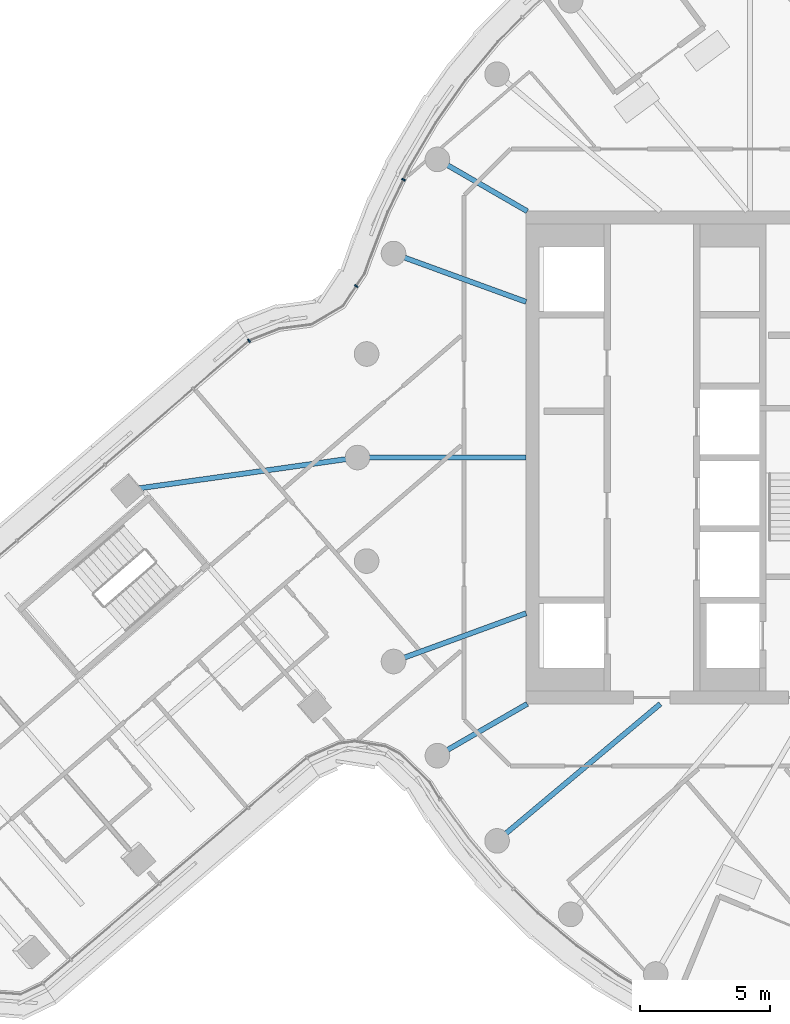
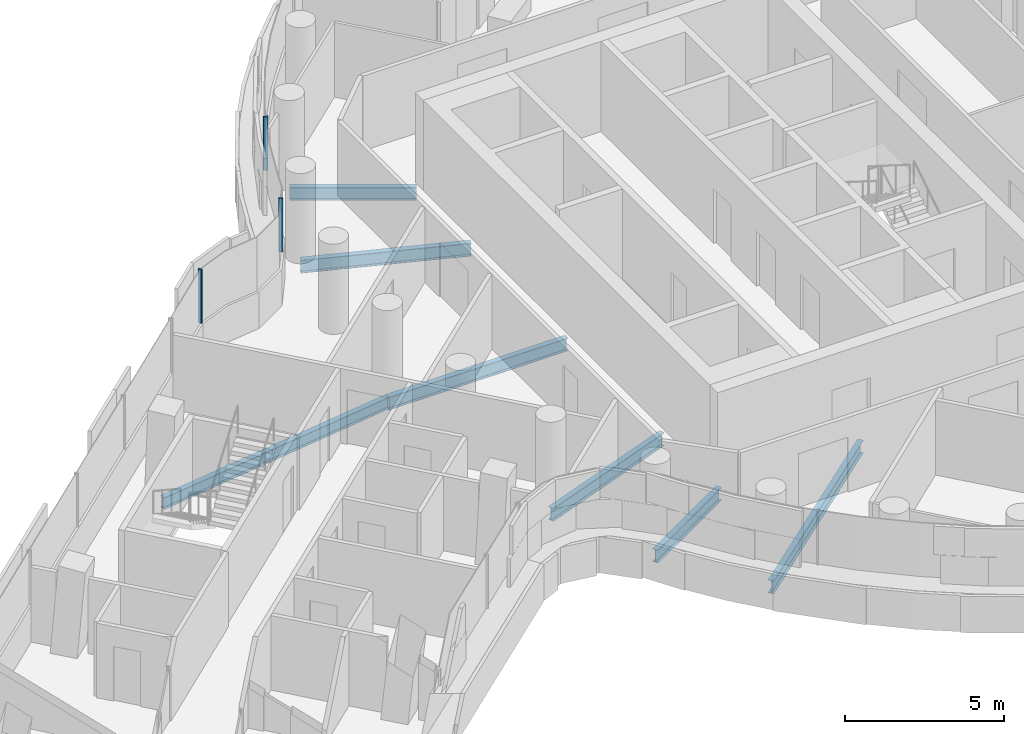
# One storey, part 9 of 34: 7 beams, 3 members, 2 elements without a shape of their own.
"""IFC4 building model written with IfcOpenShell, lengths in metres."""

import ifcopenshell
import ifcopenshell.guid

model = None  # the IFC model being written
_history = None  # IfcOwnerHistory: only IFC2X3 demands one
_inside = {}  # id of a spatial element -> (the spatial element, [elements in it])
_under = {}  # id of a project, library or spatial element -> (it, [spatial elements below it])
_declared = {}  # id of a project -> (the project, [libraries it declares])
_typed = {}  # id of a type object -> (the type object, [elements of that type])
_made_of = {}  # id of a material, layer set ... -> (it, [elements and type objects made of it])


def new_model(schema):
    """Start an empty IFC model of exactly this schema.

    Asked for "IFC4X3", IfcOpenShell would pick the latest addendum, in which some entities
    have other attributes; the version numbers below select the first issue.
    IFC2X3 requires an IfcOwnerHistory on every rooted entity: one is made here for all.
    """
    global model, _history
    if schema == "IFC4X3":
        model = ifcopenshell.file(schema_version=(4, 3, 0, 0))
    else:
        model = ifcopenshell.file(schema=schema)
    _inside.clear()
    _under.clear()
    _declared.clear()
    _typed.clear()
    _made_of.clear()
    _history = None
    if model.schema == "IFC2X3":
        org = make("IfcOrganization", Name="unknown")
        user = make(
            "IfcPersonAndOrganization",
            ThePerson=make("IfcPerson", FamilyName="unknown"),
            TheOrganization=org,
        )
        app = make(
            "IfcApplication",
            ApplicationDeveloper=org,
            Version="unknown",
            ApplicationFullName="unknown",
            ApplicationIdentifier="unknown",
        )
        _history = make(
            "IfcOwnerHistory",
            OwningUser=user,
            OwningApplication=app,
            ChangeAction="ADDED",
            CreationDate=0,
        )
    return model


def make(cls, **values):
    """One entity of the class cls with the attributes given. An attribute that is None is left unset."""
    return model.create_entity(
        cls, **{name: value for name, value in values.items() if value is not None}
    )


def rooted(cls, **values):
    """An entity with a GlobalId (a new one), such as an element, a storey or a relation."""
    return make(cls, GlobalId=ifcopenshell.guid.new(), OwnerHistory=_history, **values)


def si_unit(unit_type, name, prefix=None):
    """IfcSIUnit, for example si_unit("LENGTHUNIT", "METRE", prefix="MILLI")."""
    return make("IfcSIUnit", UnitType=unit_type, Prefix=prefix, Name=name)


def assignment(units):
    """IfcUnitAssignment: the units of a project."""
    return None if units is None else make("IfcUnitAssignment", Units=units)


def point(xyz):
    """IfcCartesianPoint."""
    return None if xyz is None else make("IfcCartesianPoint", Coordinates=xyz)


def direction(xyz):
    """IfcDirection."""
    return None if xyz is None else make("IfcDirection", DirectionRatios=xyz)


def frame(location, z_axis=None, x_axis=None):
    """IfcAxis2Placement3D, a coordinate frame: its origin and axes. An axis left out is left unset."""
    return make(
        "IfcAxis2Placement3D",
        Location=point(location),
        Axis=direction(z_axis),
        RefDirection=direction(x_axis),
    )


def frame_2d(location, x_axis=None):
    """IfcAxis2Placement2D, a coordinate frame in the plane: its origin and x axis."""
    return make(
        "IfcAxis2Placement2D", Location=point(location), RefDirection=direction(x_axis)
    )


def origin():
    """The frame at (0, 0, 0) with its axes left unset."""
    return frame((0.0, 0.0, 0.0))


def origin_2d():
    """The frame at (0, 0) in the plane with its x axis left unset."""
    return frame_2d((0.0, 0.0))


def place(relative_to, where):
    """IfcLocalPlacement: puts the frame where relative to a parent placement (None: the world)."""
    return make(
        "IfcLocalPlacement", PlacementRelTo=relative_to, RelativePlacement=where
    )


def context(
    kind, dimensions, precision=None, world=None, true_north=None, identifier=None
):
    """IfcGeometricRepresentationContext, for example the 3D "Model" context."""
    return make(
        "IfcGeometricRepresentationContext",
        ContextIdentifier=identifier,
        ContextType=kind,
        CoordinateSpaceDimension=dimensions,
        Precision=precision,
        WorldCoordinateSystem=world,
        TrueNorth=true_north,
    )


def subcontext(parent, identifier, kind, view, scale=None):
    """IfcGeometricRepresentationSubContext, for example "Body" below "Model"."""
    return make(
        "IfcGeometricRepresentationSubContext",
        ContextIdentifier=identifier,
        ContextType=kind,
        ParentContext=parent,
        TargetScale=scale,
        TargetView=view,
    )


def project(units=None, contexts=None):
    """IfcProject with its units and contexts."""
    return rooted(
        "IfcProject",
        Name="project",
        RepresentationContexts=contexts,
        UnitsInContext=assignment(units),
    )


def spatial(cls, under=None, at=None, **own):
    """A site, building, storey or space (cls), placed at a placement, below another one or the project."""
    s = rooted(cls, ObjectPlacement=at, **own)
    if under is not None:
        _under.setdefault(under.id(), (under, []))[1].append(s)
    return s


def profile(cls, at=None, kind="AREA", **sizes):
    """A parametric profile (cls). Its sizes go by their IFC names, for example OverallWidth=200.0."""
    return make(cls, ProfileType=kind, Position=at, **sizes)


def rectangle(**sizes):
    """IfcRectangleProfileDef."""
    return profile("IfcRectangleProfileDef", **sizes)


def i_section(**sizes):
    """IfcIShapeProfileDef."""
    return profile("IfcIShapeProfileDef", **sizes)


def extrude(swept, where, along, depth):
    """IfcExtrudedAreaSolid: the profile swept, set in the frame where, extruded along a direction by depth."""
    return make(
        "IfcExtrudedAreaSolid",
        SweptArea=swept,
        Position=where,
        ExtrudedDirection=direction(along),
        Depth=depth,
    )


def shape(context_of_items, identifier, shape_type, items):
    """IfcShapeRepresentation: the items that make up one representation, for example the "Body"."""
    return make(
        "IfcShapeRepresentation",
        ContextOfItems=context_of_items,
        RepresentationIdentifier=identifier,
        RepresentationType=shape_type,
        Items=items,
    )


def material(Name=None, Category=None):
    """IfcMaterial."""
    return make("IfcMaterial", Name=Name, Category=Category)


def layer(
    of_material, thickness, ventilated=None, Name=None, Category=None, Priority=None
):
    """IfcMaterialLayer: one layer of a wall or slab, of a material (None: an air gap)."""
    return make(
        "IfcMaterialLayer",
        Material=of_material,
        LayerThickness=thickness,
        IsVentilated=ventilated,
        Name=Name,
        Category=Category,
        Priority=Priority,
    )


def layer_set(layers, Name=None):
    """IfcMaterialLayerSet."""
    return make("IfcMaterialLayerSet", MaterialLayers=layers, LayerSetName=Name)


def material_profile(
    of_material, cross_section, Name=None, Category=None, Priority=None
):
    """IfcMaterialProfile: a cross section and its material."""
    return make(
        "IfcMaterialProfile",
        Name=Name,
        Material=of_material,
        Profile=cross_section,
        Priority=Priority,
        Category=Category,
    )


def profile_set(profiles, Name=None, composite=None):
    """IfcMaterialProfileSet."""
    return make(
        "IfcMaterialProfileSet",
        Name=Name,
        MaterialProfiles=profiles,
        CompositeProfile=composite,
    )


def made_of(thing, what):
    """Note that an element or type object is made of a material, layer set ...; save() writes the relation."""
    if what is not None:
        _made_of.setdefault(what.id(), (what, []))[1].append(thing)
    return thing


def type_object(cls, material=None, **own):
    """A type object (cls), such as IfcWallType, which elements share."""
    return made_of(rooted(cls, **own), material)


def element(
    cls,
    number,
    at=None,
    inside=None,
    cuts=None,
    type_object=None,
    material=None,
    context=None,
    identifier="Body",
    shape_type=None,
    held_by="IfcProductDefinitionShape",
    body=None,
    shapes=None,
    **own,
):
    """One element of the class cls, such as IfcWall. Its Tag is "e" and its number.

    at: its placement. inside: the storey or other place that contains it. cuts: it is an
    opening in that element (IfcRelVoidsElement). A single representation is given by context,
    identifier, shape_type and body (its items); several are given by shapes. held_by: the class
    of the entity that holds the representations. save() writes the other relations.
    """
    e = rooted(cls, Tag="e%d" % number, ObjectPlacement=at, **own)
    if body is not None:
        shapes = [shape(context, identifier, shape_type, body)]
    if shapes is not None:
        e.Representation = make(held_by, Representations=shapes)
    if inside is not None:
        _inside.setdefault(inside.id(), (inside, []))[1].append(e)
    if cuts is not None:
        rooted(
            "IfcRelVoidsElement", RelatingBuildingElement=cuts, RelatedOpeningElement=e
        )
    if type_object is not None:
        _typed.setdefault(type_object.id(), (type_object, []))[1].append(e)
    return made_of(e, material)


def aggregate(whole, parts):
    """IfcRelAggregates: a whole, such as a stair, and the parts it consists of."""
    return rooted("IfcRelAggregates", RelatingObject=whole, RelatedObjects=parts)


def save(model, path):
    """Write the relations noted so far, then the file.

    IfcRelAggregates (storeys below a building ...), IfcRelContainedInSpatialStructure (elements
    in a storey), IfcRelDefinesByType, IfcRelAssociatesMaterial and IfcRelDeclares: one each for
    every whole, place, type object, material and project.
    """
    for whole, parts in _under.values():
        aggregate(whole, parts)
    for where, things in _inside.values():
        rooted(
            "IfcRelContainedInSpatialStructure",
            RelatedElements=things,
            RelatingStructure=where,
        )
    for kind, things in _typed.values():
        rooted("IfcRelDefinesByType", RelatedObjects=things, RelatingType=kind)
    for what, things in _made_of.values():
        rooted("IfcRelAssociatesMaterial", RelatedObjects=things, RelatingMaterial=what)
    for by, libraries in _declared.values():
        rooted("IfcRelDeclares", RelatingContext=by, RelatedDefinitions=libraries)
    model.write(path)


model = new_model("IFC4")

# Units and contexts
model_context = context("Model", 3, precision=1e-05, world=origin(), true_north=direction((0.0, 1.0)))
body_context = subcontext(model_context, "Body", "Model", "MODEL_VIEW")
ifc_project = project(units=[si_unit("LENGTHUNIT", "METRE"), si_unit("AREAUNIT", "SQUARE_METRE"), si_unit("VOLUMEUNIT", "CUBIC_METRE"), si_unit("PLANEANGLEUNIT", "RADIAN"), si_unit("MASSUNIT", "GRAM", prefix="KILO")], contexts=[model_context])

# Site, building, storey
site_placement = place(None, origin())
site = spatial("IfcSite", under=ifc_project, at=site_placement, CompositionType="ELEMENT")
building_placement = place(site_placement, origin())
building = spatial("IfcBuilding", under=site, at=building_placement, Name="Tamarind Cross Interchange Tower", CompositionType="ELEMENT")
storey_placement = place(building_placement, frame((0.0, 0.0, 182.5)))
storey = spatial("IfcBuildingStorey", under=building, at=storey_placement, Name="L45", CompositionType="ELEMENT", Elevation=182.5)

# Beams
ifc_material_1 = material(Name="Steel Q355B", Category="steel")
ifc_material_profile_1 = material_profile(ifc_material_1, i_section(OverallWidth=0.198974609375, OverallDepth=0.446044921875, WebThickness=0.008056640625, FlangeThickness=0.011962890625, FilletRadius=0.012939453125, at=origin_2d()), Name="HN 446x199x8x12")
ifc_profile_set_1 = profile_set([ifc_material_profile_1], Name="Steel Q355B")
beam_type_1 = type_object("IfcBeamType", Name="Composite beam HN 446x199x8x12 Q355B", PredefinedType="BEAM", material=ifc_profile_set_1)
beam_1_placement = place(storey_placement, frame((-31.8779296875, -1.250732421875, -0.363037109375), z_axis=(0.990221578469, 0.139503496494, 0.0), x_axis=(-0.139503496494, 0.990221578469, 0.0)))
element("IfcBeam", 1, at=beam_1_placement, inside=storey, type_object=beam_type_1, Name="Beam W-linkem", PredefinedType="BEAM", context=body_context, shape_type="SweptSolid", body=[
    extrude(i_section(OverallWidth=0.198974609375, OverallDepth=0.446044921875, WebThickness=0.008056640625, FlangeThickness=0.011962890625, FilletRadius=0.012939453125, at=origin_2d()), origin(), (0.0, 0.0, 1.0), 8.965576171875),
])
ifc_material_profile_2 = material_profile(ifc_material_1, i_section(OverallWidth=0.198974609375, OverallDepth=0.49609375, WebThickness=0.009033203125, FlangeThickness=0.013916015625, FilletRadius=0.012939453125, at=origin_2d()), Name="HN 496x199x9x14")
ifc_profile_set_2 = profile_set([ifc_material_profile_2], Name="Steel Q355B")
beam_type_2 = type_object("IfcBeamType", Name="Composite beam HN 496x199x9x14 Q355B", PredefinedType="BEAM", material=ifc_profile_set_2)
beam_2_placement = place(storey_placement, frame((-19.918701171875, 11.5, -0.387939453125), z_axis=(0.866026010844, -0.49999894854, 0.0), x_axis=(0.49999894854, 0.866026010844, 0.0)))
element("IfcBeam", 2, at=beam_2_placement, inside=storey, type_object=beam_type_2, Name="Beam HH15", PredefinedType="BEAM", context=body_context, shape_type="SweptSolid", body=[
    extrude(i_section(OverallWidth=0.198974609375, OverallDepth=0.49609375, WebThickness=0.009033203125, FlangeThickness=0.013916015625, FilletRadius=0.012939453125, at=origin_2d()), origin(), (0.0, 0.0, 1.0), 4.0),
])
beam_3_placement = place(storey_placement, frame((-21.613037109375, 7.866455078125, -0.387939453125), z_axis=(0.939701685589, -0.341995236956, 0.0), x_axis=(0.341995236956, 0.939701685589, 0.0)))
element("IfcBeam", 3, at=beam_3_placement, inside=storey, type_object=beam_type_2, Name="Beam HH16", PredefinedType="BEAM", context=body_context, shape_type="SweptSolid", body=[
    extrude(i_section(OverallWidth=0.198974609375, OverallDepth=0.49609375, WebThickness=0.009033203125, FlangeThickness=0.013916015625, FilletRadius=0.012939453125, at=origin_2d()), origin(), (0.0, 0.0, 1.0), 5.441162109375),
])
beam_4_placement = place(storey_placement, frame((-23.0, 0.0, -0.387939453125), z_axis=(1.0, 0.0, 0.0), x_axis=(0.0, 1.0, 0.0)))
element("IfcBeam", 4, at=beam_4_placement, inside=storey, type_object=beam_type_2, Name="Beam HH18", PredefinedType="BEAM", context=body_context, shape_type="SweptSolid", body=[
    extrude(i_section(OverallWidth=0.198974609375, OverallDepth=0.49609375, WebThickness=0.009033203125, FlangeThickness=0.013916015625, FilletRadius=0.012939453125, at=origin_2d()), origin(), (0.0, 0.0, 1.0), 6.5),
])
beam_5_placement = place(storey_placement, frame((-21.613037109375, -7.866455078125, -0.387939453125), z_axis=(0.939701685589, 0.341995236956, 0.0), x_axis=(-0.341995236956, 0.939701685589, 0.0)))
element("IfcBeam", 5, at=beam_5_placement, inside=storey, type_object=beam_type_2, Name="Beam HH20", PredefinedType="BEAM", context=body_context, shape_type="SweptSolid", body=[
    extrude(i_section(OverallWidth=0.198974609375, OverallDepth=0.49609375, WebThickness=0.009033203125, FlangeThickness=0.013916015625, FilletRadius=0.012939453125, at=origin_2d()), origin(), (0.0, 0.0, 1.0), 5.441162109375),
])
beam_6_placement = place(storey_placement, frame((-19.918701171875, -11.5, -0.387939453125), z_axis=(0.866026010844, 0.49999894854, 0.0), x_axis=(-0.49999894854, 0.866026010844, 0.0)))
element("IfcBeam", 6, at=beam_6_placement, inside=storey, type_object=beam_type_2, Name="Beam HH21", PredefinedType="BEAM", context=body_context, shape_type="SweptSolid", body=[
    extrude(i_section(OverallWidth=0.198974609375, OverallDepth=0.49609375, WebThickness=0.009033203125, FlangeThickness=0.013916015625, FilletRadius=0.012939453125, at=origin_2d()), origin(), (0.0, 0.0, 1.0), 4.0),
])
beam_7_placement = place(storey_placement, frame((-17.619140625, -14.7841796875, -0.387939453125), z_axis=(0.766040580814, 0.642792212574, 0.0), x_axis=(-0.642792212574, 0.766040580814, 0.0)))
element("IfcBeam", 7, at=beam_7_placement, inside=storey, type_object=beam_type_2, Name="Beam HH22", PredefinedType="BEAM", context=body_context, shape_type="SweptSolid", body=[
    extrude(i_section(OverallWidth=0.198974609375, OverallDepth=0.49609375, WebThickness=0.009033203125, FlangeThickness=0.013916015625, FilletRadius=0.012939453125, at=origin_2d()), origin(), (0.0, 0.0, 1.0), 8.220703125),
])

# Curtain wall, member
ifc_material_2 = material(Name="Aluminium 6063-T6", Category="aluminium")
ifc_layer_1 = layer(ifc_material_2, 0.139892578125)
ifc_layer_set_1 = layer_set([ifc_layer_1], Name="Aluminium 6063-T6")
curtain_wall_type_1 = type_object("IfcCurtainWallType", Name="Hotel curtain wall, 4.5 m bays", PredefinedType="NOTDEFINED", material=ifc_layer_set_1)
curtain_wall_1_placement = place(storey_placement, origin())
curtain_wall_1 = element("IfcCurtainWall", 8, at=curtain_wall_1_placement, inside=storey, type_object=curtain_wall_type_1, Name="CWS-L45-03", PredefinedType="NOTDEFINED")
ifc_material_profile_3 = material_profile(ifc_material_2, rectangle(XDim=0.06005859375, YDim=0.139892578125, at=origin_2d()), Name="Mullion CW2")
ifc_profile_set_3 = profile_set([ifc_material_profile_3], Name="Aluminium 6063-T6")
member_type_1 = type_object("IfcMemberType", Name="Mullion CW2", PredefinedType="MULLION", material=ifc_profile_set_3)
member_1_placement = place(storey_placement, frame((-27.1884765625, 4.505615234375, 1.39990234375), z_axis=(0.0, 0.0, 1.0), x_axis=(-0.856128172012, -0.516763536917, 0.0)))
member_1 = element("IfcMember", 9, at=member_1_placement, type_object=member_type_1, Name="CWM-L45-03-00", PredefinedType="MULLION", context=body_context, shape_type="SweptSolid", body=[
    extrude(rectangle(XDim=0.06005859375, YDim=0.139892578125, at=origin_2d()), origin(), (0.0, 0.0, 1.0), 2.06005859375),
])
aggregate(curtain_wall_1, [member_1])

# Curtain wall, members
ifc_layer_2 = layer(ifc_material_2, 0.14990234375)
ifc_layer_set_2 = layer_set([ifc_layer_2], Name="Aluminium 6063-T6")
curtain_wall_type_2 = type_object("IfcCurtainWallType", Name="Winter garden and crown curtain wall", PredefinedType="NOTDEFINED", material=ifc_layer_set_2)
curtain_wall_2_placement = place(storey_placement, origin())
curtain_wall_2 = element("IfcCurtainWall", 10, at=curtain_wall_2_placement, inside=storey, type_object=curtain_wall_type_2, Name="CWS-L45-02", PredefinedType="NOTDEFINED")
ifc_material_profile_4 = material_profile(ifc_material_2, rectangle(XDim=0.06005859375, YDim=0.14990234375, at=origin_2d()), Name="Mullion CW6")
ifc_profile_set_4 = profile_set([ifc_material_profile_4], Name="Aluminium 6063-T6")
member_type_2 = type_object("IfcMemberType", Name="Mullion CW6", PredefinedType="MULLION", material=ifc_profile_set_4)
member_2_placement = place(storey_placement, frame((-21.227294921875, 10.716552734375, 1.39990234375), z_axis=(0.0, 0.0, 1.0), x_axis=(-0.435326231914, -0.900272776334, 0.0)))
member_2 = element("IfcMember", 11, at=member_2_placement, type_object=member_type_2, Name="CWM-L45-02-03", PredefinedType="MULLION", context=body_context, shape_type="SweptSolid", body=[
    extrude(rectangle(XDim=0.06005859375, YDim=0.14990234375, at=origin_2d()), origin(), (0.0, 0.0, 1.0), 2.06005859375),
])
member_3_placement = place(storey_placement, frame((-23.04931640625, 6.61083984375, 1.39990234375), z_axis=(0.0, 0.0, 1.0), x_axis=(-0.551557397631, -0.834136941466, 0.0)))
member_3 = element("IfcMember", 12, at=member_3_placement, type_object=member_type_2, Name="CWM-L45-02-04", PredefinedType="MULLION", context=body_context, shape_type="SweptSolid", body=[
    extrude(rectangle(XDim=0.06005859375, YDim=0.14990234375, at=origin_2d()), origin(), (0.0, 0.0, 1.0), 2.06005859375),
])
aggregate(curtain_wall_2, [member_2, member_3])

save(model, "model.ifc")
